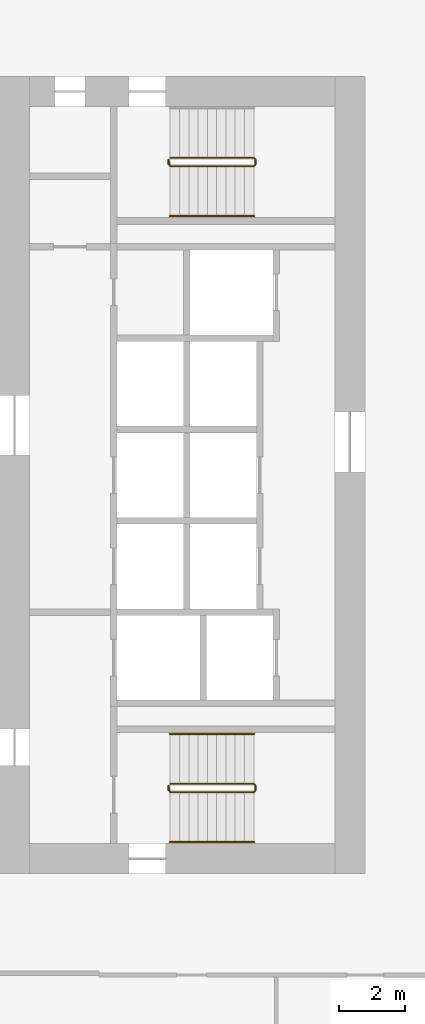
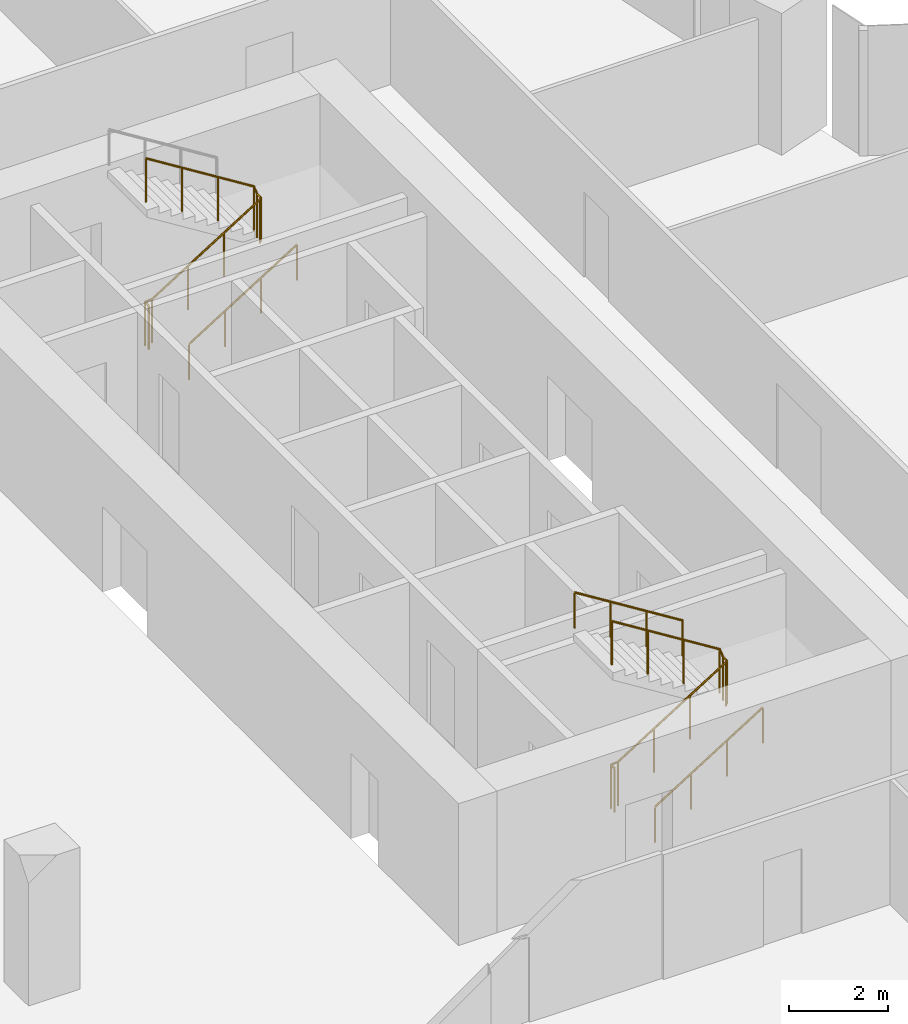
# One storey, part 36 of 38: 5 railings.
"""IFC4 building model written with IfcOpenShell, lengths in metres."""

from ifc_helpers import new_model, si_unit, direction, frame, origin, origin_2d, place, context, subcontext, project, spatial, circle, extrude, material, type_object, element, save


model = new_model("IFC4")

# Units and contexts
model_context = context("Model", 3, precision=1e-05, world=origin(), true_north=direction((0.0, 1.0)))
body_context = subcontext(model_context, "Body", "Model", "MODEL_VIEW")
ifc_project = project(units=[si_unit("LENGTHUNIT", "METRE"), si_unit("AREAUNIT", "SQUARE_METRE"), si_unit("VOLUMEUNIT", "CUBIC_METRE"), si_unit("PLANEANGLEUNIT", "RADIAN"), si_unit("MASSUNIT", "GRAM", prefix="KILO")], contexts=[model_context])

# Site, building, storey
site_placement = place(None, origin())
site = spatial("IfcSite", under=ifc_project, at=site_placement, CompositionType="ELEMENT")
building_placement = place(site_placement, origin())
building = spatial("IfcBuilding", under=site, at=building_placement, Name="Orlundy Tower", CompositionType="ELEMENT")
storey_placement = place(building_placement, frame((0.0, 0.0, 62.300048828125)))
storey = spatial("IfcBuildingStorey", under=building, at=storey_placement, Name="L14", CompositionType="ELEMENT", Elevation=62.300048828125)

# Railings
ifc_material_1 = material(Name="Steel balustrade", Category="steel")
railing_type_1 = type_object("IfcRailingType", Name="Stair Guard 1100", PredefinedType="GUARDRAIL", material=ifc_material_1)
railing_1_placement = place(storey_placement, frame((13.090087890625, -9.5, 0.0)))
element("IfcRailing", 1, at=railing_1_placement, inside=storey, type_object=railing_type_1, Name="L14 ST-E1 stair guard 1", PredefinedType="GUARDRAIL", context=body_context, shape_type="SweptSolid", body=[
    extrude(circle(Radius=0.02392578125, at=origin_2d()), frame((0.0, 0.0, 1.076171875), z_axis=(0.0, 1.0, 0.0), x_axis=(-1.0, 0.0, 0.0)), (0.0, 0.0, 1.0), 0.14990234375),
    extrude(circle(Radius=0.02392578125, at=origin_2d()), frame((0.0, 0.14990234375, 1.076171875), z_axis=(0.18420542264, -0.739530593833, 0.647427882513), x_axis=(0.970351222016, 0.241699205484, 0.0)), (0.0, 0.0, 1.0), 0.270263671875),
    extrude(circle(Radius=0.02392578125, at=origin_2d()), frame((0.0498046875, -0.050048828125, 1.2509765625), z_axis=(0.848007534815, 0.0, 0.529984170421), x_axis=(0.0, 1.0, 0.0)), (0.0, 0.0, 1.0), 2.9716796875),
    extrude(circle(Radius=0.02392578125, at=origin_2d()), frame((2.56982421875, -0.050048828125, 2.826171875), z_axis=(0.707106781187, 0.707106781187, 0.0), x_axis=(-0.707106781187, 0.707106781187, 0.0)), (0.0, 0.0, 1.0), 0.07080078125),
    extrude(circle(Radius=0.02392578125, at=origin_2d()), frame((2.619873046875, 0.0, 2.826171875), z_axis=(0.0, 1.0, 0.0), x_axis=(-1.0, 0.0, 0.0)), (0.0, 0.0, 1.0), 0.14990234375),
    extrude(circle(Radius=0.02392578125, at=origin_2d()), frame((2.619873046875, 0.14990234375, 2.826171875), z_axis=(-0.265065253269, 0.265065253269, 0.927081885822), x_axis=(-0.707106781187, -0.707106781187, 0.0)), (0.0, 0.0, 1.0), 0.188720703125),
    extrude(circle(Radius=0.02392578125, at=origin_2d()), frame((2.56982421875, 0.199951171875, 3.0009765625), z_axis=(-0.848007534815, 0.0, 0.529984170421), x_axis=(0.0, -1.0, 0.0)), (0.0, 0.0, 1.0), 2.9716796875),
    extrude(circle(Radius=0.02099609375, at=origin_2d()), origin(), (0.0, 0.0, 1.0), 1.052001953125),
    extrude(circle(Radius=0.02099609375, at=origin_2d()), frame((0.0, 0.14990234375, 0.0)), (0.0, 0.0, 1.0), 1.052001953125),
    extrude(circle(Radius=0.02099609375, at=origin_2d()), frame((0.0498046875, -0.050048828125, 0.175048828125)), (0.0, 0.0, 1.0), 1.052001953125),
    extrude(circle(Radius=0.02099609375, at=origin_2d()), frame((0.889892578125, -0.050048828125, 0.699951171875)), (0.0, 0.0, 1.0), 1.052001953125),
    extrude(circle(Radius=0.02099609375, at=origin_2d()), frame((1.729736328125, -0.050048828125, 1.22509765625)), (0.0, 0.0, 1.0), 1.052001953125),
    extrude(circle(Radius=0.02099609375, at=origin_2d()), frame((2.56982421875, -0.050048828125, 1.75)), (0.0, 0.0, 1.0), 1.052001953125),
    extrude(circle(Radius=0.02099609375, at=origin_2d()), frame((2.619873046875, 0.0, 1.75)), (0.0, 0.0, 1.0), 1.052001953125),
    extrude(circle(Radius=0.02099609375, at=origin_2d()), frame((2.619873046875, 0.14990234375, 1.75)), (0.0, 0.0, 1.0), 1.052001953125),
    extrude(circle(Radius=0.02099609375, at=origin_2d()), frame((2.56982421875, 0.199951171875, 1.925048828125)), (0.0, 0.0, 1.0), 1.052001953125),
    extrude(circle(Radius=0.02099609375, at=origin_2d()), frame((1.729736328125, 0.199951171875, 2.449951171875)), (0.0, 0.0, 1.0), 1.052001953125),
    extrude(circle(Radius=0.02099609375, at=origin_2d()), frame((0.889892578125, 0.199951171875, 2.97509765625)), (0.0, 0.0, 1.0), 1.052001953125),
    extrude(circle(Radius=0.02099609375, at=origin_2d()), frame((0.0498046875, 0.199951171875, 3.5)), (0.0, 0.0, 1.0), 1.052001953125),
])
railing_2_placement = place(storey_placement, frame((13.090087890625, 9.35009765625, 0.0)))
element("IfcRailing", 2, at=railing_2_placement, inside=storey, type_object=railing_type_1, Name="L14 ST-E2 stair guard 1", PredefinedType="GUARDRAIL", context=body_context, shape_type="SweptSolid", body=[
    extrude(circle(Radius=0.02392578125, at=origin_2d()), frame((0.0, 0.0, 1.076171875), z_axis=(0.0, 1.0, 0.0), x_axis=(-1.0, 0.0, 0.0)), (0.0, 0.0, 1.0), 0.14990234375),
    extrude(circle(Radius=0.02392578125, at=origin_2d()), frame((0.0, 0.14990234375, 1.076171875), z_axis=(0.18420542264, -0.739530593833, 0.647427882513), x_axis=(0.970351222016, 0.241699205484, 0.0)), (0.0, 0.0, 1.0), 0.270263671875),
    extrude(circle(Radius=0.02392578125, at=origin_2d()), frame((0.0498046875, -0.050048828125, 1.2509765625), z_axis=(0.848007534815, 0.0, 0.529984170421), x_axis=(0.0, 1.0, 0.0)), (0.0, 0.0, 1.0), 2.9716796875),
    extrude(circle(Radius=0.02392578125, at=origin_2d()), frame((2.56982421875, -0.050048828125, 2.826171875), z_axis=(0.707106781187, 0.707106781187, 0.0), x_axis=(-0.707106781187, 0.707106781187, 0.0)), (0.0, 0.0, 1.0), 0.07080078125),
    extrude(circle(Radius=0.02392578125, at=origin_2d()), frame((2.619873046875, 0.0, 2.826171875), z_axis=(0.0, 1.0, 0.0), x_axis=(-1.0, 0.0, 0.0)), (0.0, 0.0, 1.0), 0.14990234375),
    extrude(circle(Radius=0.02392578125, at=origin_2d()), frame((2.619873046875, 0.14990234375, 2.826171875), z_axis=(-0.265065253269, 0.265065253269, 0.927081885822), x_axis=(-0.707106781187, -0.707106781187, 0.0)), (0.0, 0.0, 1.0), 0.188720703125),
    extrude(circle(Radius=0.02392578125, at=origin_2d()), frame((2.56982421875, 0.199951171875, 3.0009765625), z_axis=(-0.848007534815, 0.0, 0.529984170421), x_axis=(0.0, -1.0, 0.0)), (0.0, 0.0, 1.0), 2.9716796875),
    extrude(circle(Radius=0.02099609375, at=origin_2d()), origin(), (0.0, 0.0, 1.0), 1.052001953125),
    extrude(circle(Radius=0.02099609375, at=origin_2d()), frame((0.0, 0.14990234375, 0.0)), (0.0, 0.0, 1.0), 1.052001953125),
    extrude(circle(Radius=0.02099609375, at=origin_2d()), frame((0.0498046875, -0.050048828125, 0.175048828125)), (0.0, 0.0, 1.0), 1.052001953125),
    extrude(circle(Radius=0.02099609375, at=origin_2d()), frame((0.889892578125, -0.050048828125, 0.699951171875)), (0.0, 0.0, 1.0), 1.052001953125),
    extrude(circle(Radius=0.02099609375, at=origin_2d()), frame((1.729736328125, -0.050048828125, 1.22509765625)), (0.0, 0.0, 1.0), 1.052001953125),
    extrude(circle(Radius=0.02099609375, at=origin_2d()), frame((2.56982421875, -0.050048828125, 1.75)), (0.0, 0.0, 1.0), 1.052001953125),
    extrude(circle(Radius=0.02099609375, at=origin_2d()), frame((2.619873046875, 0.0, 1.75)), (0.0, 0.0, 1.0), 1.052001953125),
    extrude(circle(Radius=0.02099609375, at=origin_2d()), frame((2.619873046875, 0.14990234375, 1.75)), (0.0, 0.0, 1.0), 1.052001953125),
    extrude(circle(Radius=0.02099609375, at=origin_2d()), frame((2.56982421875, 0.199951171875, 1.925048828125)), (0.0, 0.0, 1.0), 1.052001953125),
    extrude(circle(Radius=0.02099609375, at=origin_2d()), frame((1.729736328125, 0.199951171875, 2.449951171875)), (0.0, 0.0, 1.0), 1.052001953125),
    extrude(circle(Radius=0.02099609375, at=origin_2d()), frame((0.889892578125, 0.199951171875, 2.97509765625)), (0.0, 0.0, 1.0), 1.052001953125),
    extrude(circle(Radius=0.02099609375, at=origin_2d()), frame((0.0498046875, 0.199951171875, 3.5)), (0.0, 0.0, 1.0), 1.052001953125),
])
ifc_material_2 = material(Name="Steel handrail", Category="steel")
railing_type_2 = type_object("IfcRailingType", Name="Stair Handrail 900", PredefinedType="HANDRAIL", material=ifc_material_2)
railing_3_placement = place(storey_placement, frame((13.139892578125, -11.050048828125, 0.175048828125)))
element("IfcRailing", 3, at=railing_3_placement, inside=storey, type_object=railing_type_2, Name="L14 ST-E1 stair handrail 1", PredefinedType="HANDRAIL", context=body_context, shape_type="SweptSolid", body=[
    extrude(circle(Radius=0.02392578125, at=origin_2d()), frame((0.0, 0.0, 0.8759765625), z_axis=(0.848007534815, 0.0, 0.529984170421), x_axis=(0.0, 1.0, 0.0)), (0.0, 0.0, 1.0), 2.9716796875),
    extrude(circle(Radius=0.02099609375, at=origin_2d()), origin(), (0.0, 0.0, 1.0), 0.851806640625),
    extrude(circle(Radius=0.02099609375, at=origin_2d()), frame((0.840087890625, 0.0, 0.52490234375)), (0.0, 0.0, 1.0), 0.851806640625),
    extrude(circle(Radius=0.02099609375, at=origin_2d()), frame((1.679931640625, 0.0, 1.050048828125)), (0.0, 0.0, 1.0), 0.851806640625),
    extrude(circle(Radius=0.02099609375, at=origin_2d()), frame((2.52001953125, 0.0, 1.574951171875)), (0.0, 0.0, 1.0), 0.851806640625),
])
railing_4_placement = place(storey_placement, frame((15.659912109375, -7.800048828125, 1.925048828125)))
element("IfcRailing", 4, at=railing_4_placement, inside=storey, type_object=railing_type_2, Name="L14 ST-E1 stair handrail 2", PredefinedType="HANDRAIL", context=body_context, shape_type="SweptSolid", body=[
    extrude(circle(Radius=0.02392578125, at=origin_2d()), frame((0.0, 0.0, 0.8759765625), z_axis=(-0.848007534815, 0.0, 0.529984170421), x_axis=(0.0, -1.0, 0.0)), (0.0, 0.0, 1.0), 2.9716796875),
    extrude(circle(Radius=0.02099609375, at=origin_2d()), origin(), (0.0, 0.0, 1.0), 0.851806640625),
    extrude(circle(Radius=0.02099609375, at=origin_2d()), frame((-0.840087890625, 0.0, 0.52490234375)), (0.0, 0.0, 1.0), 0.851806640625),
    extrude(circle(Radius=0.02099609375, at=origin_2d()), frame((-1.679931640625, 0.0, 1.050048828125)), (0.0, 0.0, 1.0), 0.851806640625),
    extrude(circle(Radius=0.02099609375, at=origin_2d()), frame((-2.52001953125, 0.0, 1.574951171875)), (0.0, 0.0, 1.0), 0.851806640625),
])
railing_5_placement = place(storey_placement, frame((13.139892578125, 7.800048828125, 0.175048828125)))
element("IfcRailing", 5, at=railing_5_placement, inside=storey, type_object=railing_type_2, Name="L14 ST-E2 stair handrail 1", PredefinedType="HANDRAIL", context=body_context, shape_type="SweptSolid", body=[
    extrude(circle(Radius=0.02392578125, at=origin_2d()), frame((0.0, 0.0, 0.8759765625), z_axis=(0.848007534815, 0.0, 0.529984170421), x_axis=(0.0, 1.0, 0.0)), (0.0, 0.0, 1.0), 2.9716796875),
    extrude(circle(Radius=0.02099609375, at=origin_2d()), origin(), (0.0, 0.0, 1.0), 0.851806640625),
    extrude(circle(Radius=0.02099609375, at=origin_2d()), frame((0.840087890625, 0.0, 0.52490234375)), (0.0, 0.0, 1.0), 0.851806640625),
    extrude(circle(Radius=0.02099609375, at=origin_2d()), frame((1.679931640625, 0.0, 1.050048828125)), (0.0, 0.0, 1.0), 0.851806640625),
    extrude(circle(Radius=0.02099609375, at=origin_2d()), frame((2.52001953125, 0.0, 1.574951171875)), (0.0, 0.0, 1.0), 0.851806640625),
])

save(model, "model.ifc")
